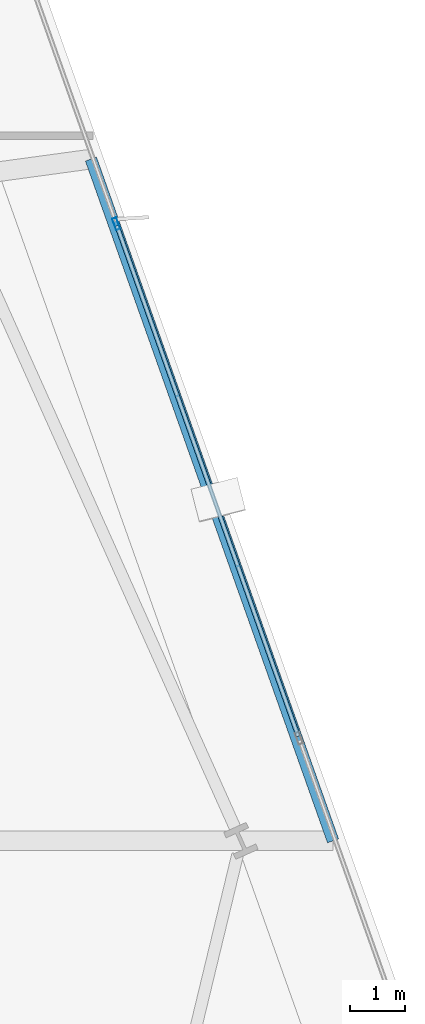
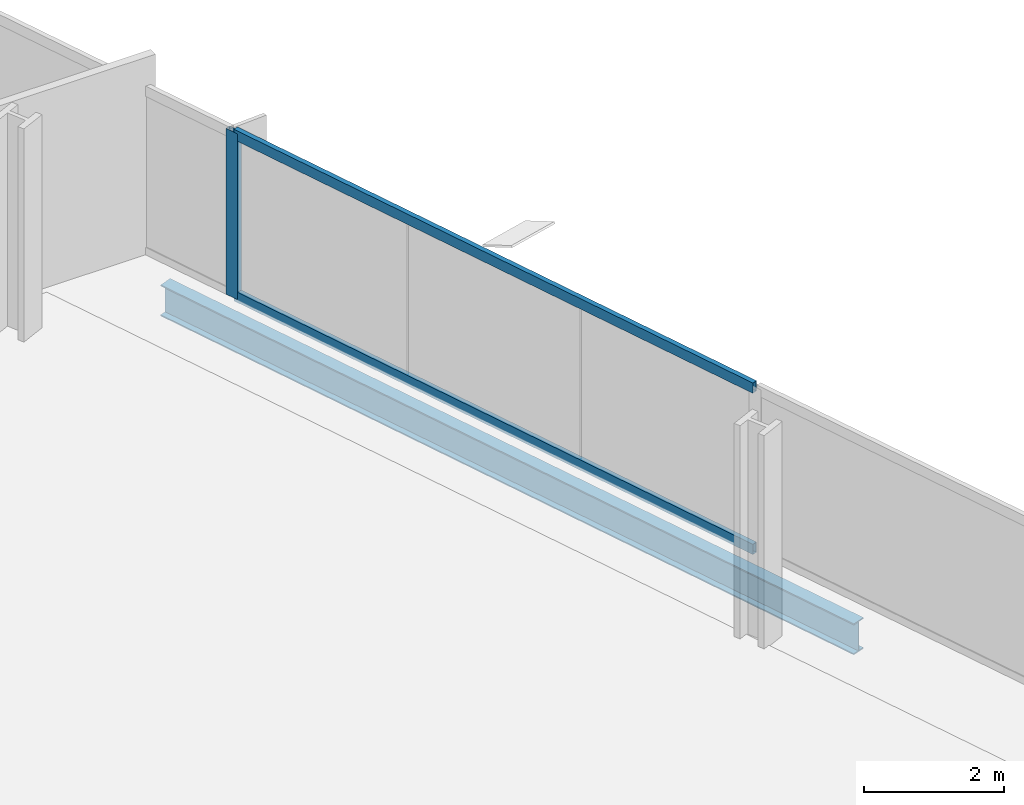
# One storey, part 20 of 33: 3 members, 1 beam, 1 element without a shape of its own.
"""IFC4 building model written with IfcOpenShell, lengths in metres."""

from ifc_helpers import new_model, si_unit, direction, frame, origin, origin_2d, place, context, subcontext, project, spatial, hollow_rectangle, i_section, extrude, material, material_profile, profile_set, type_object, element, aggregate, save


model = new_model("IFC4")

# Units and contexts
model_context = context("Model", 3, precision=1e-05, world=origin(), true_north=direction((0.0, 1.0)))
body_context = subcontext(model_context, "Body", "Model", "MODEL_VIEW")
ifc_project = project(units=[si_unit("LENGTHUNIT", "METRE"), si_unit("AREAUNIT", "SQUARE_METRE"), si_unit("VOLUMEUNIT", "CUBIC_METRE"), si_unit("PLANEANGLEUNIT", "RADIAN"), si_unit("MASSUNIT", "GRAM", prefix="KILO")], contexts=[model_context])

# Site, building, storey
site_placement = place(None, origin())
site = spatial("IfcSite", under=ifc_project, at=site_placement, CompositionType="ELEMENT")
building_placement = place(site_placement, origin())
building = spatial("IfcBuilding", under=site, at=building_placement, Name="Haldenkirk Collegiate Tower", CompositionType="ELEMENT")
storey_placement = place(building_placement, frame((0.0, 0.0, 94.199951171875)))
storey = spatial("IfcBuildingStorey", under=building, at=storey_placement, Name="L22", CompositionType="ELEMENT", Elevation=94.199951171875)

# Beam
ifc_material_1 = material(Name="Steel ASTM A992 Grade 50", Category="steel")
ifc_material_profile_1 = material_profile(ifc_material_1, i_section(OverallWidth=0.2119140625, OverallDepth=0.5439453125, WebThickness=0.01318359375, FlangeThickness=0.021240234375, at=origin_2d()), Name="W21X83")
ifc_profile_set_1 = profile_set([ifc_material_profile_1], Name="Steel ASTM A992 Grade 50")
beam_type = type_object("IfcBeamType", Name="BM-SPANDREL-W21X83", PredefinedType="SPANDREL", material=ifc_profile_set_1)
beam_placement = place(storey_placement, frame((64.270263671875, 23.727294921875, -0.572021484375), z_axis=(-0.334623659176, 0.942351848685, 0.0), x_axis=(-0.942351848685, -0.334623659176, 0.0)))
element("IfcBeam", 1, at=beam_placement, inside=storey, type_object=beam_type, Name="L22 outer facade edge beam 2", PredefinedType="SPANDREL", context=body_context, shape_type="SweptSolid", body=[
    extrude(i_section(OverallWidth=0.2119140625, OverallDepth=0.5439453125, WebThickness=0.01318359375, FlangeThickness=0.021240234375, at=origin_2d()), origin(), (0.0, 0.0, 1.0), 13.052490234375),
])

# Curtain wall, members
ifc_material_2 = material(Name="Anodised architectural bronze aluminium", Category="aluminium")
curtain_wall_type = type_object("IfcCurtainWallType", Name="CW-SYS1-CONVEX-LOW", PredefinedType="USERDEFINED", material=ifc_material_2)
curtain_wall_placement = place(storey_placement, origin())
curtain_wall = element("IfcCurtainWall", 2, at=curtain_wall_placement, inside=storey, type_object=curtain_wall_type, Name="L22 Lower tower convex bronze-framed unitised curtain wall", ObjectType="UNITISED CURTAIN WALL", PredefinedType="USERDEFINED")
ifc_material_profile_2 = material_profile(ifc_material_2, hollow_rectangle(XDim=0.080078125, YDim=0.219970703125, WallThickness=0.0048828125, at=origin_2d()), Name="CW-MUL-1A")
ifc_profile_set_2 = profile_set([ifc_material_profile_2], Name="Anodised architectural bronze aluminium")
member_type_1 = type_object("IfcMemberType", Name="CW-MUL-1A", PredefinedType="MULLION", material=ifc_profile_set_2)
member_1_placement = place(storey_placement, frame((60.35888671875, 34.862060546875, 0.0), z_axis=(0.0, 0.0, 1.0), x_axis=(0.942349846687, 0.334629297058, 0.0)))
member_1 = element("IfcMember", 3, at=member_1_placement, type_object=member_type_1, Name="CW-1A mullion 3", PredefinedType="MULLION", context=body_context, shape_type="SweptSolid", body=[
    extrude(hollow_rectangle(XDim=0.080078125, YDim=0.219970703125, WallThickness=0.0048828125, at=origin_2d()), origin(), (0.0, 0.0, 1.0), 2.901123046875),
])
ifc_material_profile_3 = material_profile(ifc_material_2, hollow_rectangle(XDim=0.080078125, YDim=0.179931640625, WallThickness=0.0048828125, at=origin_2d()), Name="CW-TRN-1A")
ifc_profile_set_3 = profile_set([ifc_material_profile_3], Name="Anodised architectural bronze aluminium")
member_type_2 = type_object("IfcMemberType", Name="CW-TRN-1A", PredefinedType="USERDEFINED", material=ifc_profile_set_3)
member_2_placement = place(storey_placement, frame((60.3720703125, 34.824462890625, 0.0400390625), z_axis=(0.334646810223, -0.942343627562, 0.0), x_axis=(0.942343627562, 0.334646810223, 0.0)))
member_2 = element("IfcMember", 4, at=member_2_placement, type_object=member_type_2, Name="CW-1A transom 3.1", ObjectType="TRANSOM", PredefinedType="USERDEFINED", context=body_context, shape_type="SweptSolid", body=[
    extrude(hollow_rectangle(XDim=0.080078125, YDim=0.179931640625, WallThickness=0.0048828125, at=origin_2d()), origin(), (0.0, 0.0, 1.0), 9.77001953125),
])
member_3_placement = place(storey_placement, frame((60.3720703125, 34.824462890625, 2.861083984375), z_axis=(0.334646810223, -0.942343627562, 0.0), x_axis=(0.942343627562, 0.334646810223, 0.0)))
member_3 = element("IfcMember", 5, at=member_3_placement, type_object=member_type_2, Name="CW-1A transom 3.2", ObjectType="TRANSOM", PredefinedType="USERDEFINED", context=body_context, shape_type="SweptSolid", body=[
    extrude(hollow_rectangle(XDim=0.080078125, YDim=0.179931640625, WallThickness=0.0048828125, at=origin_2d()), origin(), (0.0, 0.0, 1.0), 9.77001953125),
])
aggregate(curtain_wall, [member_1, member_2, member_3])

save(model, "model.ifc")
